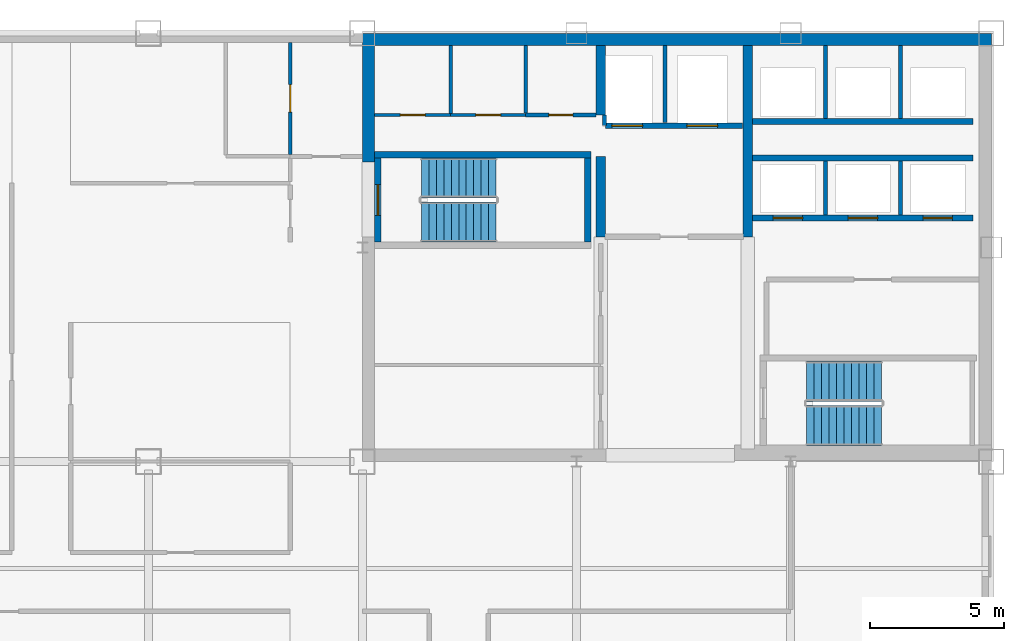
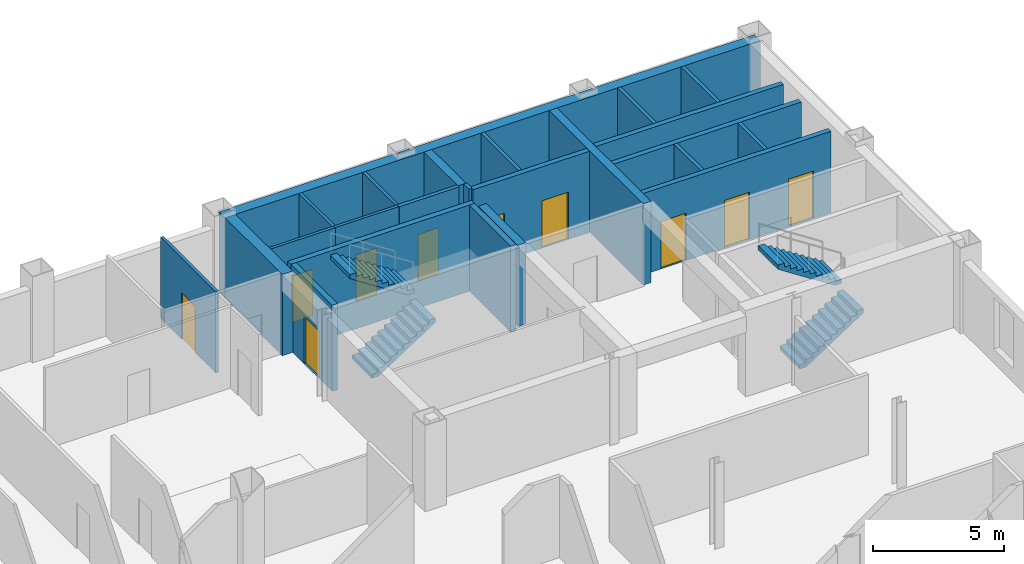
# One storey, part 6 of 9: 24 walls, 10 doors, 4 stair flights, 10 openings, 2 elements without a shape of their own.
"""IFC4 building model written with IfcOpenShell, lengths in metres."""

from ifc_helpers import new_model, si_unit, direction, frame, frame_2d, origin, place, context, subcontext, project, spatial, polyline, rectangle, outline, extrude, material, layer, layer_set, type_object, element, fill, aggregate, save


model = new_model("IFC4")

# Units and contexts
model_context = context("Model", 3, precision=1e-05, world=origin(), true_north=direction((0.0, 1.0)))
body_context = subcontext(model_context, "Body", "Model", "MODEL_VIEW")
ifc_project = project(units=[si_unit("LENGTHUNIT", "METRE"), si_unit("AREAUNIT", "SQUARE_METRE"), si_unit("VOLUMEUNIT", "CUBIC_METRE"), si_unit("PLANEANGLEUNIT", "RADIAN"), si_unit("MASSUNIT", "GRAM", prefix="KILO")], contexts=[model_context])

# Site, building, storey
site_placement = place(None, origin())
site = spatial("IfcSite", under=ifc_project, at=site_placement, CompositionType="ELEMENT")
building_placement = place(site_placement, origin())
building = spatial("IfcBuilding", under=site, at=building_placement, Name="Qianrong Seaharbour Tower", CompositionType="ELEMENT")
storey_placement = place(building_placement, frame((0.0, 0.0, 221.800048828125)))
storey = spatial("IfcBuildingStorey", under=building, at=storey_placement, Name="L53", CompositionType="ELEMENT", Elevation=221.800048828125)

# Walls
ifc_material_1 = material(Name="Concrete C60/75", Category="concrete")
ifc_layer_1 = layer(ifc_material_1, 0.4599609375)
ifc_layer_set_1 = layer_set([ifc_layer_1], Name="Concrete C60/75")
wall_type_1 = type_object("IfcWallType", Name="WALL-CORE-460", PredefinedType="SHEAR", material=ifc_layer_set_1)
wall_1_placement = place(storey_placement, frame((40.5, 51.77001953125, 0.0), z_axis=(0.0, 0.0, 1.0), x_axis=(1.0, 0.0, 0.0)))
element("IfcWall", 1, at=wall_1_placement, inside=storey, type_object=wall_type_1, Name="L53 North Core Shear Wall", PredefinedType="SHEAR", context=body_context, shape_type="SweptSolid", body=[
    extrude(rectangle(XDim=23.5, YDim=0.4599609375, at=frame_2d((11.75, 0.0))), origin(), (0.0, 0.0, 1.0), 3.77490234375),
])
wall_2_placement = place(storey_placement, frame((40.72998046875, 47.199951171875, 0.0), z_axis=(0.0, 0.0, 1.0), x_axis=(0.0, 1.0, 0.0)))
element("IfcWall", 2, at=wall_2_placement, inside=storey, type_object=wall_type_1, Name="L53 West Core Shear Wall North", PredefinedType="SHEAR", context=body_context, shape_type="SweptSolid", body=[
    extrude(rectangle(XDim=4.340087890625, YDim=0.4599609375, at=frame_2d((2.169921875, 0.0))), origin(), (0.0, 0.0, 1.0), 3.77490234375),
])
ifc_material_2 = material(Name="Concrete C50/60", Category="concrete")
ifc_layer_2 = layer(ifc_material_2, 0.35009765625)
ifc_layer_set_2 = layer_set([ifc_layer_2], Name="Concrete C50/60")
wall_type_2 = type_object("IfcWallType", Name="WALL-CORE-INT-350", PredefinedType="SHEAR", material=ifc_layer_set_2)
wall_3_placement = place(storey_placement, frame((49.39990234375, 44.39990234375, 0.0), z_axis=(0.0, 0.0, 1.0), x_axis=(0.0, 1.0, 0.0)))
element("IfcWall", 3, at=wall_3_placement, inside=storey, type_object=wall_type_2, Name="L53 Internal Core Shear Wall IW1N1", PredefinedType="SHEAR", context=body_context, shape_type="SweptSolid", body=[
    extrude(rectangle(XDim=3.0, YDim=0.35009765625, at=frame_2d((1.5, 0.0))), origin(), (0.0, 0.0, 1.0), 3.77490234375),
])
wall_4_placement = place(storey_placement, frame((49.39990234375, 48.949951171875, 0.0), z_axis=(0.0, 0.0, 1.0), x_axis=(0.0, 1.0, 0.0)))
element("IfcWall", 4, at=wall_4_placement, inside=storey, type_object=wall_type_2, Name="L53 Internal Core Shear Wall IW1N2", PredefinedType="SHEAR", context=body_context, shape_type="SweptSolid", body=[
    extrude(rectangle(XDim=2.590087890625, YDim=0.35009765625, at=frame_2d((1.294921875, 0.0))), origin(), (0.0, 0.0, 1.0), 3.77490234375),
])
wall_5_placement = place(storey_placement, frame((54.89990234375, 44.39990234375, 0.0), z_axis=(0.0, 0.0, 1.0), x_axis=(0.0, 1.0, 0.0)))
element("IfcWall", 5, at=wall_5_placement, inside=storey, type_object=wall_type_2, Name="L53 Internal Core Shear Wall IW2N", PredefinedType="SHEAR", context=body_context, shape_type="SweptSolid", body=[
    extrude(rectangle(XDim=7.14013671875, YDim=0.35009765625, at=frame_2d((3.570068359375, 0.0))), origin(), (0.0, 0.0, 1.0), 3.77490234375),
])

# Wall, opening, door
ifc_material_3 = material(Name="Fire-rated acoustic gypsum board partition")
ifc_layer_3 = layer(ifc_material_3, 0.1650390625)
ifc_layer_set_3 = layer_set([ifc_layer_3], Name="Fire-rated acoustic gypsum board partition")
wall_type_3 = type_object("IfcWallType", Name="WALL-CORR-PART-165", PredefinedType="PARTITIONING", material=ifc_layer_set_3)
wall_6_placement = place(storey_placement, frame((46.60009765625, 48.949951171875, 0.0), z_axis=(0.0, 0.0, 1.0), x_axis=(1.0, 0.0, 0.0)))
wall_6 = element("IfcWall", 6, at=wall_6_placement, inside=storey, type_object=wall_type_3, Name="L53 Interior Partition Wall 009", PredefinedType="PARTITIONING", context=body_context, shape_type="SweptSolid", body=[
    extrude(rectangle(XDim=2.6328125, YDim=0.1650390625, at=frame_2d((1.31640625, 0.0))), origin(), (0.0, 0.0, 1.0), 3.77490234375),
])
opening_1_placement = place(wall_6_placement, frame((0.866455078125, 0.0, 0.0)))
opening_1 = element("IfcOpeningElement", 7, at=opening_1_placement, cuts=wall_6, Name="Opening DS-01", PredefinedType="OPENING", context=body_context, shape_type="SweptSolid", body=[
    extrude(rectangle(XDim=0.89990234375, YDim=2.14990234375, at=frame_2d((0.449951171875, 1.074951171875))), frame((0.0, 0.092529296875, 0.0), z_axis=(0.0, -1.0, 0.0), x_axis=(1.0, 0.0, 0.0)), (0.0, 0.0, 1.0), 0.18505859375),
])
ifc_material_4 = material(Name="Acoustic timber and galvanized steel fire door assembly", Category="steel")
door_type_1 = type_object("IfcDoorType", Name="DOOR-STORE-900x2150", OperationType="NOTDEFINED", PredefinedType="DOOR", material=ifc_material_4)
door_1_placement = place(opening_1_placement, origin())
door_1 = element("IfcDoor", 8, at=door_1_placement, inside=storey, type_object=door_type_1, Name="L53 Cleaner Store Room Door", OperationType="SINGLE_SWING_LEFT", OverallHeight=2.14990234375, OverallWidth=0.89990234375, PredefinedType="DOOR", context=body_context, shape_type="SweptSolid", body=[
    extrude(rectangle(XDim=0.89990234375, YDim=2.14990234375, at=frame_2d((0.449951171875, 1.074951171875))), frame((0.0, 0.02490234375, 0.0), z_axis=(0.0, -1.0, 0.0), x_axis=(1.0, 0.0, 0.0)), (0.0, 0.0, 1.0), 0.050048828125),
])
fill(opening_1, door_1)

# Walls
ifc_material_5 = material(Name="Fire-rated gypsum board on steel studs", Category="steel")
ifc_layer_4 = layer(ifc_material_5, 0.14990234375)
ifc_layer_set_4 = layer_set([ifc_layer_4], Name="Fire-rated gypsum board on steel studs")
wall_type_4 = type_object("IfcWallType", Name="WALL-SHAFT-DIV-150", PredefinedType="PARTITIONING", material=ifc_layer_set_4)
wall_7_placement = place(storey_placement, frame((51.800048828125, 48.669921875, 0.0), z_axis=(0.0, 0.0, 1.0), x_axis=(0.0, 1.0, 0.0)))
element("IfcWall", 9, at=wall_7_placement, inside=storey, type_object=wall_type_4, Name="L53 Firefighting Lift Shaft Divider Wall", PredefinedType="PARTITIONING", context=body_context, shape_type="SweptSolid", body=[
    extrude(rectangle(XDim=2.8701171875, YDim=0.14990234375, at=frame_2d((1.43505859375, 0.0))), origin(), (0.0, 0.0, 1.0), 3.77490234375),
])
wall_8_placement = place(storey_placement, frame((49.550048828125, 48.550048828125, 0.0), z_axis=(0.0, 0.0, 1.0), x_axis=(0.0, 1.0, 0.0)))
element("IfcWall", 10, at=wall_8_placement, inside=storey, type_object=wall_type_4, Name="L53 Firefighting Lift Shaft West Return Wall", PredefinedType="PARTITIONING", context=body_context, shape_type="SweptSolid", body=[
    extrude(rectangle(XDim=0.39990234375, YDim=0.14990234375, at=frame_2d((0.199951171875, 0.0))), origin(), (0.0, 0.0, 1.0), 3.77490234375),
])
for number, where, z_axis, x_axis, name in (
    (11, (57.800048828125, 45.2099609375, 0.0), (0.0, 0.0, 1.0), (0.0, 1.0, 0.0), "L53 P3 Lift Hoistway Divider 2"),
    (12, (60.60009765625, 45.2099609375, 0.0), (0.0, 0.0, 1.0), (0.0, 1.0, 0.0), "L53 P3 Lift Hoistway Divider 3"),
):
    element("IfcWall", number, at=place(storey_placement, frame(where, z_axis=z_axis, x_axis=x_axis)), inside=storey, type_object=wall_type_4, Name=name, PredefinedType="PARTITIONING", context=body_context, shape_type="SweptSolid", body=[
        extrude(rectangle(XDim=2.030029296875, YDim=0.14990234375, at=frame_2d((1.01513671875, 0.0))), origin(), (0.0, 0.0, 1.0), 3.77490234375),
    ])
for number, where, z_axis, x_axis, name in (
    (13, (57.800048828125, 48.81005859375, 0.0), (0.0, 0.0, 1.0), (0.0, 1.0, 0.0), "L53 P4 Lift Hoistway Divider 2"),
    (14, (60.60009765625, 48.81005859375, 0.0), (0.0, 0.0, 1.0), (0.0, 1.0, 0.0), "L53 P4 Lift Hoistway Divider 3"),
):
    element("IfcWall", number, at=place(storey_placement, frame(where, z_axis=z_axis, x_axis=x_axis)), inside=storey, type_object=wall_type_4, Name=name, PredefinedType="PARTITIONING", context=body_context, shape_type="SweptSolid", body=[
        extrude(rectangle(XDim=2.72998046875, YDim=0.14990234375, at=frame_2d((1.364990234375, 0.0))), origin(), (0.0, 0.0, 1.0), 3.77490234375),
    ])

# Wall, openings, doors
ifc_layer_5 = layer(ifc_material_5, 0.219970703125)
ifc_layer_set_5 = layer_set([ifc_layer_5], Name="Fire-rated gypsum board on steel studs")
wall_type_5 = type_object("IfcWallType", Name="WALL-SHAFT-GYP220", PredefinedType="PARTITIONING", material=ifc_layer_set_5)
wall_9_placement = place(storey_placement, frame((54.7099609375, 48.550048828125, 0.0), z_axis=(0.0, 0.0, 1.0), x_axis=(-1.0, 0.0, 0.0)))
wall_9 = element("IfcWall", 15, at=wall_9_placement, inside=storey, type_object=wall_type_5, Name="L53 Firefighting Lift Shaft Front Wall", PredefinedType="PARTITIONING", context=body_context, shape_type="SweptSolid", body=[
    extrude(rectangle(XDim=5.119873046875, YDim=0.219970703125, at=frame_2d((2.56005859375, 0.0))), origin(), (0.0, 0.0, 1.0), 3.77490234375),
])
opening_2_placement = place(wall_9_placement, frame((3.735107421875, 0.0, 0.0)))
opening_2 = element("IfcOpeningElement", 16, at=opening_2_placement, cuts=wall_9, Name="Opening LD-01", PredefinedType="OPENING", context=body_context, shape_type="SweptSolid", body=[
    extrude(rectangle(XDim=1.14990234375, YDim=2.199951171875, at=frame_2d((0.574951171875, 1.10009765625))), frame((0.0, 0.1201171875, 0.0), z_axis=(0.0, -1.0, 0.0), x_axis=(1.0, 0.0, 0.0)), (0.0, 0.0, 1.0), 0.239990234375),
])
opening_3_placement = place(wall_9_placement, frame((0.93505859375, 0.0, 0.0)))
opening_3 = element("IfcOpeningElement", 17, at=opening_3_placement, cuts=wall_9, Name="Opening LD-01", PredefinedType="OPENING", context=body_context, shape_type="SweptSolid", body=[
    extrude(rectangle(XDim=1.14990234375, YDim=2.199951171875, at=frame_2d((0.574951171875, 1.10009765625))), frame((0.0, 0.1201171875, 0.0), z_axis=(0.0, -1.0, 0.0), x_axis=(1.0, 0.0, 0.0)), (0.0, 0.0, 1.0), 0.239990234375),
])
ifc_material_6 = material(Name="Stainless steel SUS316L bi-parting lift landing door", Category="steel")
door_type_2 = type_object("IfcDoorType", Name="DOOR-LIFT-FF-1150x2200", OperationType="DOUBLE_DOOR_SLIDING", PredefinedType="DOOR", material=ifc_material_6)
door_2_placement = place(opening_2_placement, origin())
door_2 = element("IfcDoor", 18, at=door_2_placement, inside=storey, type_object=door_type_2, Name="L53 FL-1 Firefighting Lift Landing Door", OperationType="DOUBLE_DOOR_SLIDING", OverallHeight=2.199951171875, OverallWidth=1.14990234375, PredefinedType="DOOR", context=body_context, shape_type="SweptSolid", body=[
    extrude(rectangle(XDim=1.14990234375, YDim=2.199951171875, at=frame_2d((0.574951171875, 1.10009765625))), frame((0.0, 0.02490234375, 0.0), z_axis=(0.0, -1.0, 0.0), x_axis=(1.0, 0.0, 0.0)), (0.0, 0.0, 1.0), 0.050048828125),
])
fill(opening_2, door_2)
door_3_placement = place(opening_3_placement, origin())
door_3 = element("IfcDoor", 19, at=door_3_placement, inside=storey, type_object=door_type_2, Name="L53 FL-2 Firefighting Lift Landing Door", OperationType="DOUBLE_DOOR_SLIDING", OverallHeight=2.199951171875, OverallWidth=1.14990234375, PredefinedType="DOOR", context=body_context, shape_type="SweptSolid", body=[
    extrude(rectangle(XDim=1.14990234375, YDim=2.199951171875, at=frame_2d((0.574951171875, 1.10009765625))), frame((0.0, 0.02490234375, 0.0), z_axis=(0.0, -1.0, 0.0), x_axis=(1.0, 0.0, 0.0)), (0.0, 0.0, 1.0), 0.050048828125),
])
fill(opening_3, door_3)

wall_10_placement = place(storey_placement, frame((63.320068359375, 45.10009765625, 0.0), z_axis=(0.0, 0.0, 1.0), x_axis=(-1.0, 0.0, 0.0)))
wall_10 = element("IfcWall", 20, at=wall_10_placement, inside=storey, type_object=wall_type_5, Name="L53 P3 Lift Hoistway Front Wall", PredefinedType="PARTITIONING", context=body_context, shape_type="SweptSolid", body=[
    extrude(rectangle(XDim=8.239990234375, YDim=0.219970703125, at=frame_2d((4.1201171875, 0.0))), origin(), (0.0, 0.0, 1.0), 3.77490234375),
])
opening_4_placement = place(wall_10_placement, frame((6.3701171875, 0.0, 0.0)))
opening_4 = element("IfcOpeningElement", 21, at=opening_4_placement, cuts=wall_10, Name="Opening LD-02", PredefinedType="OPENING", context=body_context, shape_type="SweptSolid", body=[
    extrude(rectangle(XDim=1.10009765625, YDim=2.199951171875, at=frame_2d((0.550048828125, 1.10009765625))), frame((0.0, 0.1201171875, 0.0), z_axis=(0.0, -1.0, 0.0), x_axis=(1.0, 0.0, 0.0)), (0.0, 0.0, 1.0), 0.239990234375),
])
opening_5_placement = place(wall_10_placement, frame((3.570068359375, 0.0, 0.0)))
opening_5 = element("IfcOpeningElement", 22, at=opening_5_placement, cuts=wall_10, Name="Opening LD-02", PredefinedType="OPENING", context=body_context, shape_type="SweptSolid", body=[
    extrude(rectangle(XDim=1.10009765625, YDim=2.199951171875, at=frame_2d((0.550048828125, 1.10009765625))), frame((0.0, 0.1201171875, 0.0), z_axis=(0.0, -1.0, 0.0), x_axis=(1.0, 0.0, 0.0)), (0.0, 0.0, 1.0), 0.239990234375),
])
opening_6_placement = place(wall_10_placement, frame((0.77001953125, 0.0, 0.0)))
opening_6 = element("IfcOpeningElement", 23, at=opening_6_placement, cuts=wall_10, Name="Opening LD-02", PredefinedType="OPENING", context=body_context, shape_type="SweptSolid", body=[
    extrude(rectangle(XDim=1.10009765625, YDim=2.199951171875, at=frame_2d((0.550048828125, 1.10009765625))), frame((0.0, 0.1201171875, 0.0), z_axis=(0.0, -1.0, 0.0), x_axis=(1.0, 0.0, 0.0)), (0.0, 0.0, 1.0), 0.239990234375),
])
door_type_3 = type_object("IfcDoorType", Name="DOOR-LIFT-PASS-1100x2200", OperationType="DOUBLE_DOOR_SLIDING", PredefinedType="DOOR", material=ifc_material_6)
door_4_placement = place(opening_4_placement, origin())
door_4 = element("IfcDoor", 24, at=door_4_placement, inside=storey, type_object=door_type_3, Name="L53 PL-3A Lift Landing Door", OperationType="DOUBLE_DOOR_SLIDING", OverallHeight=2.199951171875, OverallWidth=1.10009765625, PredefinedType="DOOR", context=body_context, shape_type="SweptSolid", body=[
    extrude(rectangle(XDim=1.10009765625, YDim=2.199951171875, at=frame_2d((0.550048828125, 1.10009765625))), frame((0.0, 0.02490234375, 0.0), z_axis=(0.0, -1.0, 0.0), x_axis=(1.0, 0.0, 0.0)), (0.0, 0.0, 1.0), 0.050048828125),
])
fill(opening_4, door_4)
door_5_placement = place(opening_5_placement, origin())
door_5 = element("IfcDoor", 25, at=door_5_placement, inside=storey, type_object=door_type_3, Name="L53 PL-3B Lift Landing Door", OperationType="DOUBLE_DOOR_SLIDING", OverallHeight=2.199951171875, OverallWidth=1.10009765625, PredefinedType="DOOR", context=body_context, shape_type="SweptSolid", body=[
    extrude(rectangle(XDim=1.10009765625, YDim=2.199951171875, at=frame_2d((0.550048828125, 1.10009765625))), frame((0.0, 0.02490234375, 0.0), z_axis=(0.0, -1.0, 0.0), x_axis=(1.0, 0.0, 0.0)), (0.0, 0.0, 1.0), 0.050048828125),
])
fill(opening_5, door_5)
door_6_placement = place(opening_6_placement, origin())
door_6 = element("IfcDoor", 26, at=door_6_placement, inside=storey, type_object=door_type_3, Name="L53 PL-3C Lift Landing Door", OperationType="DOUBLE_DOOR_SLIDING", OverallHeight=2.199951171875, OverallWidth=1.10009765625, PredefinedType="DOOR", context=body_context, shape_type="SweptSolid", body=[
    extrude(rectangle(XDim=1.10009765625, YDim=2.199951171875, at=frame_2d((0.550048828125, 1.10009765625))), frame((0.0, 0.02490234375, 0.0), z_axis=(0.0, -1.0, 0.0), x_axis=(1.0, 0.0, 0.0)), (0.0, 0.0, 1.0), 0.050048828125),
])
fill(opening_6, door_6)

# Walls
for number, where, z_axis, x_axis, name in (
    (27, (55.080078125, 47.35009765625, 0.0), (0.0, 0.0, 1.0), (1.0, 0.0, 0.0), "L53 P3 Lift Hoistway Back Wall"),
    (28, (63.320068359375, 48.699951171875, 0.0), (0.0, 0.0, 1.0), (-1.0, 0.0, 0.0), "L53 P4 Lift Hoistway Front Wall"),
):
    element("IfcWall", number, at=place(storey_placement, frame(where, z_axis=z_axis, x_axis=x_axis)), inside=storey, type_object=wall_type_5, Name=name, PredefinedType="PARTITIONING", context=body_context, shape_type="SweptSolid", body=[
        extrude(rectangle(XDim=8.239990234375, YDim=0.219970703125, at=frame_2d((4.1201171875, 0.0))), origin(), (0.0, 0.0, 1.0), 3.77490234375),
    ])
ifc_layer_6 = layer(ifc_material_2, 0.239990234375)
ifc_layer_set_6 = layer_set([ifc_layer_6], Name="Concrete C50/60")
wall_type_6 = type_object("IfcWallType", Name="WALL-SHAFT-RC240", PredefinedType="SOLIDWALL", material=ifc_layer_set_6)
wall_11_placement = place(storey_placement, frame((40.9599609375, 47.469970703125, 0.0), z_axis=(0.0, 0.0, 1.0), x_axis=(1.0, 0.0, 0.0)))
element("IfcWall", 29, at=wall_11_placement, inside=storey, type_object=wall_type_6, Name="L53 ST-1 Structural Stair Core Wall N", PredefinedType="SOLIDWALL", context=body_context, shape_type="SweptSolid", body=[
    extrude(rectangle(XDim=8.080078125, YDim=0.239990234375, at=frame_2d((4.0400390625, 0.0))), origin(), (0.0, 0.0, 1.0), 4.0),
])

# Wall, opening, door
wall_12_placement = place(storey_placement, frame((41.080078125, 47.35009765625, 0.0), z_axis=(0.0, 0.0, 1.0), x_axis=(0.0, -1.0, 0.0)))
wall_12 = element("IfcWall", 30, at=wall_12_placement, inside=storey, type_object=wall_type_6, Name="L53 ST-1 Structural Stair Core Wall W", PredefinedType="SOLIDWALL", context=body_context, shape_type="SweptSolid", body=[
    extrude(rectangle(XDim=3.150146484375, YDim=0.239990234375, at=frame_2d((1.5751953125, 0.0))), origin(), (0.0, 0.0, 1.0), 4.0),
])
opening_7_placement = place(wall_12_placement, frame((1.0, 0.0, 0.0)))
opening_7 = element("IfcOpeningElement", 31, at=opening_7_placement, cuts=wall_12, Name="Opening SD-01", PredefinedType="OPENING", context=body_context, shape_type="SweptSolid", body=[
    extrude(rectangle(XDim=1.14990234375, YDim=2.199951171875, at=frame_2d((0.574951171875, 1.10009765625))), frame((0.0, 0.1298828125, 0.0), z_axis=(0.0, -1.0, 0.0), x_axis=(1.0, 0.0, 0.0)), (0.0, 0.0, 1.0), 0.260009765625),
])
door_type_4 = type_object("IfcDoorType", Name="DOOR-STAIR-FD60-1150x2200", OperationType="NOTDEFINED", PredefinedType="DOOR", material=ifc_material_4)
door_7_placement = place(opening_7_placement, origin())
door_7 = element("IfcDoor", 32, at=door_7_placement, inside=storey, type_object=door_type_4, Name="L53 ST-1 Protected Stair Door", OperationType="SINGLE_SWING_RIGHT", OverallHeight=2.199951171875, OverallWidth=1.14990234375, PredefinedType="DOOR", context=body_context, shape_type="SweptSolid", body=[
    extrude(rectangle(XDim=1.14990234375, YDim=2.199951171875, at=frame_2d((0.574951171875, 1.10009765625))), frame((0.0, 0.02490234375, 0.0), z_axis=(0.0, -1.0, 0.0), x_axis=(1.0, 0.0, 0.0)), (0.0, 0.0, 1.0), 0.050048828125),
])
fill(opening_7, door_7)

# Wall
wall_13_placement = place(storey_placement, frame((48.919921875, 44.199951171875, 0.0), z_axis=(0.0, 0.0, 1.0), x_axis=(0.0, 1.0, 0.0)))
element("IfcWall", 33, at=wall_13_placement, inside=storey, type_object=wall_type_6, Name="L53 ST-1 Structural Stair Core Wall E", PredefinedType="SOLIDWALL", context=body_context, shape_type="SweptSolid", body=[
    extrude(rectangle(XDim=3.150146484375, YDim=0.239990234375, at=frame_2d((1.5751953125, 0.0))), origin(), (0.0, 0.0, 1.0), 4.0),
])

# Wall, opening, door
ifc_material_7 = material(Name="Water-resistant cement board sanitary partition")
ifc_layer_7 = layer(ifc_material_7, 0.1298828125)
ifc_layer_set_7 = layer_set([ifc_layer_7], Name="Water-resistant cement board sanitary partition")
wall_type_7 = type_object("IfcWallType", Name="WALL-WET-PART-130", PredefinedType="PARTITIONING", material=ifc_layer_set_7)
wall_14_placement = place(storey_placement, frame((37.800048828125, 47.474609375, 0.0), z_axis=(0.0, 0.0, 1.0), x_axis=(0.0, 1.0, 0.0)))
wall_14 = element("IfcWall", 34, at=wall_14_placement, inside=storey, type_object=wall_type_7, Name="L53 Interior Partition Wall 004", PredefinedType="PARTITIONING", context=body_context, shape_type="SweptSolid", body=[
    extrude(rectangle(XDim=4.193359375, YDim=0.1298828125, at=frame_2d((2.0966796875, 0.0))), origin(), (0.0, 0.0, 1.0), 3.77490234375),
])
opening_8_placement = place(wall_14_placement, frame((1.5869140625, 0.0, 0.0)))
opening_8 = element("IfcOpeningElement", 35, at=opening_8_placement, cuts=wall_14, Name="Opening DAW-01", PredefinedType="OPENING", context=body_context, shape_type="SweptSolid", body=[
    extrude(rectangle(XDim=1.02001953125, YDim=2.14990234375, at=frame_2d((0.510009765625, 1.074951171875))), frame((0.0, 0.074951171875, 0.0), z_axis=(0.0, -1.0, 0.0), x_axis=(1.0, 0.0, 0.0)), (0.0, 0.0, 1.0), 0.14990234375),
])
door_type_5 = type_object("IfcDoorType", Name="DOOR-AWC-SLIDE-1020x2150", OperationType="SLIDING_TO_LEFT", PredefinedType="DOOR", material=ifc_material_4)
door_8_placement = place(opening_8_placement, origin())
door_8 = element("IfcDoor", 36, at=door_8_placement, inside=storey, type_object=door_type_5, Name="L53 Accessible Restroom WC Door", OperationType="SLIDING_TO_LEFT", OverallHeight=2.14990234375, OverallWidth=1.02001953125, PredefinedType="DOOR", context=body_context, shape_type="SweptSolid", body=[
    extrude(rectangle(XDim=1.02001953125, YDim=2.14990234375, at=frame_2d((0.510009765625, 1.074951171875))), frame((0.0, 0.02490234375, 0.0), z_axis=(0.0, -1.0, 0.0), x_axis=(1.0, 0.0, 0.0)), (0.0, 0.0, 1.0), 0.050048828125),
])
fill(opening_8, door_8)

wall_15_placement = place(storey_placement, frame((40.9599609375, 48.949951171875, 0.0), z_axis=(0.0, 0.0, 1.0), x_axis=(1.0, 0.0, 0.0)))
wall_15 = element("IfcWall", 37, at=wall_15_placement, inside=storey, type_object=wall_type_7, Name="L53 Interior Partition Wall 007", PredefinedType="PARTITIONING", context=body_context, shape_type="SweptSolid", body=[
    extrude(rectangle(XDim=2.840087890625, YDim=0.1298828125, at=frame_2d((1.419921875, 0.0))), origin(), (0.0, 0.0, 1.0), 3.77490234375),
])
opening_9_placement = place(wall_15_placement, frame((0.9599609375, 0.0, 0.0)))
opening_9 = element("IfcOpeningElement", 38, at=opening_9_placement, cuts=wall_15, Name="Opening DW-01", PredefinedType="OPENING", context=body_context, shape_type="SweptSolid", body=[
    extrude(rectangle(XDim=0.919921875, YDim=2.14990234375, at=frame_2d((0.4599609375, 1.074951171875))), frame((0.0, 0.074951171875, 0.0), z_axis=(0.0, -1.0, 0.0), x_axis=(1.0, 0.0, 0.0)), (0.0, 0.0, 1.0), 0.14990234375),
])
door_type_6 = type_object("IfcDoorType", Name="DOOR-WC-920x2150", OperationType="NOTDEFINED", PredefinedType="DOOR", material=ifc_material_4)
door_9_placement = place(opening_9_placement, origin())
door_9 = element("IfcDoor", 39, at=door_9_placement, inside=storey, type_object=door_type_6, Name="L53 Male Restroom WC Door", OperationType="SINGLE_SWING_LEFT", OverallHeight=2.14990234375, OverallWidth=0.919921875, PredefinedType="DOOR", context=body_context, shape_type="SweptSolid", body=[
    extrude(rectangle(XDim=0.919921875, YDim=2.14990234375, at=frame_2d((0.4599609375, 1.074951171875))), frame((0.0, 0.02490234375, 0.0), z_axis=(0.0, -1.0, 0.0), x_axis=(1.0, 0.0, 0.0)), (0.0, 0.0, 1.0), 0.050048828125),
])
fill(opening_9, door_9)

wall_16_placement = place(storey_placement, frame((43.800048828125, 48.949951171875, 0.0), z_axis=(0.0, 0.0, 1.0), x_axis=(1.0, 0.0, 0.0)))
wall_16 = element("IfcWall", 40, at=wall_16_placement, inside=storey, type_object=wall_type_7, Name="L53 Interior Partition Wall 008", PredefinedType="PARTITIONING", context=body_context, shape_type="SweptSolid", body=[
    extrude(rectangle(XDim=2.800048828125, YDim=0.1298828125, at=frame_2d((1.39990234375, 0.0))), origin(), (0.0, 0.0, 1.0), 3.77490234375),
])
opening_10_placement = place(wall_16_placement, frame((0.93994140625, 0.0, 0.0)))
opening_10 = element("IfcOpeningElement", 41, at=opening_10_placement, cuts=wall_16, Name="Opening DW-01", PredefinedType="OPENING", context=body_context, shape_type="SweptSolid", body=[
    extrude(rectangle(XDim=0.919921875, YDim=2.14990234375, at=frame_2d((0.4599609375, 1.074951171875))), frame((0.0, 0.074951171875, 0.0), z_axis=(0.0, -1.0, 0.0), x_axis=(1.0, 0.0, 0.0)), (0.0, 0.0, 1.0), 0.14990234375),
])
door_10_placement = place(opening_10_placement, origin())
door_10 = element("IfcDoor", 42, at=door_10_placement, inside=storey, type_object=door_type_6, Name="L53 Female Restroom WC Door", OperationType="SINGLE_SWING_RIGHT", OverallHeight=2.14990234375, OverallWidth=0.919921875, PredefinedType="DOOR", context=body_context, shape_type="SweptSolid", body=[
    extrude(rectangle(XDim=0.919921875, YDim=2.14990234375, at=frame_2d((0.4599609375, 1.074951171875))), frame((0.0, 0.02490234375, 0.0), z_axis=(0.0, -1.0, 0.0), x_axis=(1.0, 0.0, 0.0)), (0.0, 0.0, 1.0), 0.050048828125),
])
fill(opening_10, door_10)

# Walls
wall_17_placement = place(storey_placement, frame((43.800048828125, 51.5400390625, 0.0), z_axis=(0.0, 0.0, 1.0), x_axis=(0.0, -1.0, 0.0)))
element("IfcWall", 43, at=wall_17_placement, inside=storey, type_object=wall_type_7, Name="L53 Interior Partition Wall 016", PredefinedType="PARTITIONING", context=body_context, shape_type="SweptSolid", body=[
    extrude(rectangle(XDim=2.532958984375, YDim=0.1298828125, at=frame_2d((1.2666015625, 0.0))), origin(), (0.0, 0.0, 1.0), 3.77490234375),
])
wall_18_placement = place(storey_placement, frame((46.60009765625, 51.5400390625, 0.0), z_axis=(0.0, 0.0, 1.0), x_axis=(0.0, -1.0, 0.0)))
element("IfcWall", 44, at=wall_18_placement, inside=storey, type_object=wall_type_7, Name="L53 Interior Partition Wall 017", PredefinedType="PARTITIONING", context=body_context, shape_type="SweptSolid", body=[
    extrude(rectangle(XDim=2.515625, YDim=0.1298828125, at=frame_2d((1.2578125, 0.0))), origin(), (0.0, 0.0, 1.0), 3.77490234375),
])

# Stair, stair flights
stair_type = type_object("IfcStairType", Name="STAIR-DOGLEG-1500-R22", PredefinedType="HALF_TURN_STAIR", material=ifc_material_2)
stair_1_placement = place(storey_placement, origin())
stair_1 = element("IfcStair", 45, at=stair_1_placement, inside=storey, type_object=stair_type, Name="L53 Protected Escape Stair ST-1", PredefinedType="HALF_TURN_STAIR")
stair_flight_type = type_object("IfcStairFlightType", Name="FLIGHT-STR-1500-R22", PredefinedType="STRAIGHT", material=ifc_material_2)
stair_flight_1_placement = place(storey_placement, frame((42.699951171875, 44.949951171875, 0.0), z_axis=(0.0, 0.0, 1.0), x_axis=(1.0, 0.0, 0.0)))
stair_flight_1 = element("IfcStairFlight", 46, at=stair_flight_1_placement, type_object=stair_flight_type, Name="ST-1 flight 1", NumberOfRisers=11, NumberOfTreads=10, PredefinedType="STRAIGHT", RiserHeight=0.181818182, TreadLength=0.28, context=body_context, shape_type="SweptSolid", body=[
    extrude(outline(polyline([(0.0, 0.0), (0.0, 0.181884765625), (0.280029296875, 0.181884765625), (0.280029296875, 0.363525390625), (0.56005859375, 0.363525390625), (0.56005859375, 0.54541015625), (0.840087890625, 0.54541015625), (0.840087890625, 0.727294921875), (1.1201171875, 0.727294921875), (1.1201171875, 0.9091796875), (1.39990234375, 0.9091796875), (1.39990234375, 1.0908203125), (1.679931640625, 1.0908203125), (1.679931640625, 1.272705078125), (1.9599609375, 1.272705078125), (1.9599609375, 1.45458984375), (2.239990234375, 1.45458984375), (2.239990234375, 1.636474609375), (2.52001953125, 1.636474609375), (2.52001953125, 1.818115234375), (2.800048828125, 1.818115234375), (2.800048828125, 2.0), (2.800048828125, 1.62744140625), (0.293701171875, 0.0), (0.0, 0.0)])), frame((0.0, 0.75, 0.0), z_axis=(0.0, -1.0, 0.0), x_axis=(1.0, 0.0, 0.0)), (0.0, 0.0, 1.0), 1.5),
])
stair_flight_2_placement = place(storey_placement, frame((45.5, 46.60009765625, 2.0), z_axis=(0.0, 0.0, 1.0), x_axis=(-1.0, 0.0, 0.0)))
stair_flight_2 = element("IfcStairFlight", 47, at=stair_flight_2_placement, type_object=stair_flight_type, Name="ST-1 flight 2", NumberOfRisers=11, NumberOfTreads=10, PredefinedType="STRAIGHT", RiserHeight=0.181818182, TreadLength=0.28, context=body_context, shape_type="SweptSolid", body=[
    extrude(outline(polyline([(0.0, 0.0), (0.0, 0.181884765625), (0.280029296875, 0.181884765625), (0.280029296875, 0.363525390625), (0.56005859375, 0.363525390625), (0.56005859375, 0.54541015625), (0.840087890625, 0.54541015625), (0.840087890625, 0.727294921875), (1.1201171875, 0.727294921875), (1.1201171875, 0.9091796875), (1.39990234375, 0.9091796875), (1.39990234375, 1.0908203125), (1.679931640625, 1.0908203125), (1.679931640625, 1.272705078125), (1.9599609375, 1.272705078125), (1.9599609375, 1.45458984375), (2.239990234375, 1.45458984375), (2.239990234375, 1.636474609375), (2.52001953125, 1.636474609375), (2.52001953125, 1.818115234375), (2.800048828125, 1.818115234375), (2.800048828125, 2.0), (2.800048828125, 1.62744140625), (0.293701171875, 0.0), (0.0, 0.0)])), frame((0.0, 0.75, 0.0), z_axis=(0.0, -1.0, 0.0), x_axis=(1.0, 0.0, 0.0)), (0.0, 0.0, 1.0), 1.5),
])
aggregate(stair_1, [stair_flight_1, stair_flight_2])

stair_2_placement = place(storey_placement, origin())
stair_2 = element("IfcStair", 48, at=stair_2_placement, inside=storey, type_object=stair_type, Name="L53 Protected Escape Stair ST-2", PredefinedType="HALF_TURN_STAIR")
stair_flight_3_placement = place(storey_placement, frame((57.10009765625, 37.35009765625, 0.0), z_axis=(0.0, 0.0, 1.0), x_axis=(1.0, 0.0, 0.0)))
stair_flight_3 = element("IfcStairFlight", 49, at=stair_flight_3_placement, type_object=stair_flight_type, Name="ST-2 flight 1", NumberOfRisers=11, NumberOfTreads=10, PredefinedType="STRAIGHT", RiserHeight=0.181818182, TreadLength=0.28, context=body_context, shape_type="SweptSolid", body=[
    extrude(outline(polyline([(0.0, 0.0), (0.0, 0.181884765625), (0.280029296875, 0.181884765625), (0.280029296875, 0.363525390625), (0.56005859375, 0.363525390625), (0.56005859375, 0.54541015625), (0.840087890625, 0.54541015625), (0.840087890625, 0.727294921875), (1.1201171875, 0.727294921875), (1.1201171875, 0.9091796875), (1.39990234375, 0.9091796875), (1.39990234375, 1.0908203125), (1.679931640625, 1.0908203125), (1.679931640625, 1.272705078125), (1.9599609375, 1.272705078125), (1.9599609375, 1.45458984375), (2.239990234375, 1.45458984375), (2.239990234375, 1.636474609375), (2.52001953125, 1.636474609375), (2.52001953125, 1.818115234375), (2.800048828125, 1.818115234375), (2.800048828125, 2.0), (2.800048828125, 1.62744140625), (0.293701171875, 0.0), (0.0, 0.0)])), frame((0.0, 0.75, 0.0), z_axis=(0.0, -1.0, 0.0), x_axis=(1.0, 0.0, 0.0)), (0.0, 0.0, 1.0), 1.5),
])
stair_flight_4_placement = place(storey_placement, frame((59.89990234375, 39.0, 2.0), z_axis=(0.0, 0.0, 1.0), x_axis=(-1.0, 0.0, 0.0)))
stair_flight_4 = element("IfcStairFlight", 50, at=stair_flight_4_placement, type_object=stair_flight_type, Name="ST-2 flight 2", NumberOfRisers=11, NumberOfTreads=10, PredefinedType="STRAIGHT", RiserHeight=0.181818182, TreadLength=0.28, context=body_context, shape_type="SweptSolid", body=[
    extrude(outline(polyline([(0.0, 0.0), (0.0, 0.181884765625), (0.280029296875, 0.181884765625), (0.280029296875, 0.363525390625), (0.56005859375, 0.363525390625), (0.56005859375, 0.54541015625), (0.840087890625, 0.54541015625), (0.840087890625, 0.727294921875), (1.1201171875, 0.727294921875), (1.1201171875, 0.9091796875), (1.39990234375, 0.9091796875), (1.39990234375, 1.0908203125), (1.679931640625, 1.0908203125), (1.679931640625, 1.272705078125), (1.9599609375, 1.272705078125), (1.9599609375, 1.45458984375), (2.239990234375, 1.45458984375), (2.239990234375, 1.636474609375), (2.52001953125, 1.636474609375), (2.52001953125, 1.818115234375), (2.800048828125, 1.818115234375), (2.800048828125, 2.0), (2.800048828125, 1.62744140625), (0.293701171875, 0.0), (0.0, 0.0)])), frame((0.0, 0.75, 0.0), z_axis=(0.0, -1.0, 0.0), x_axis=(1.0, 0.0, 0.0)), (0.0, 0.0, 1.0), 1.5),
])
aggregate(stair_2, [stair_flight_3, stair_flight_4])

save(model, "model.ifc")
